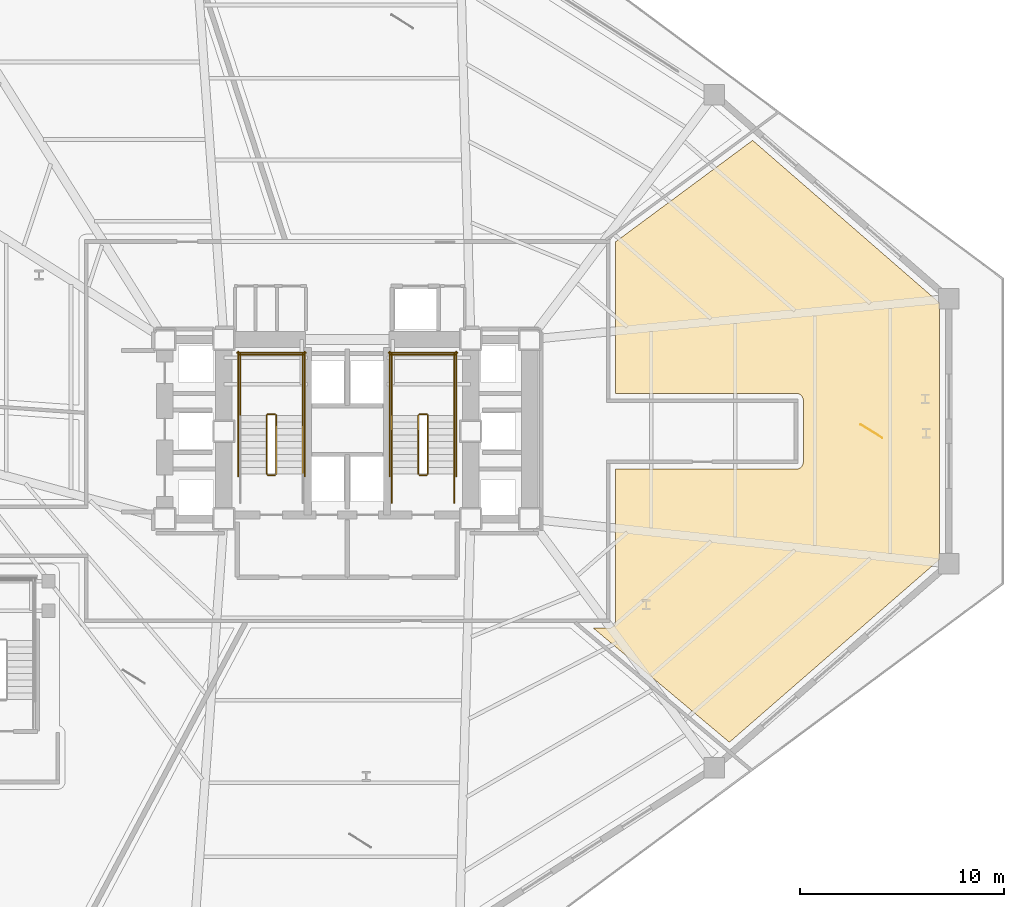
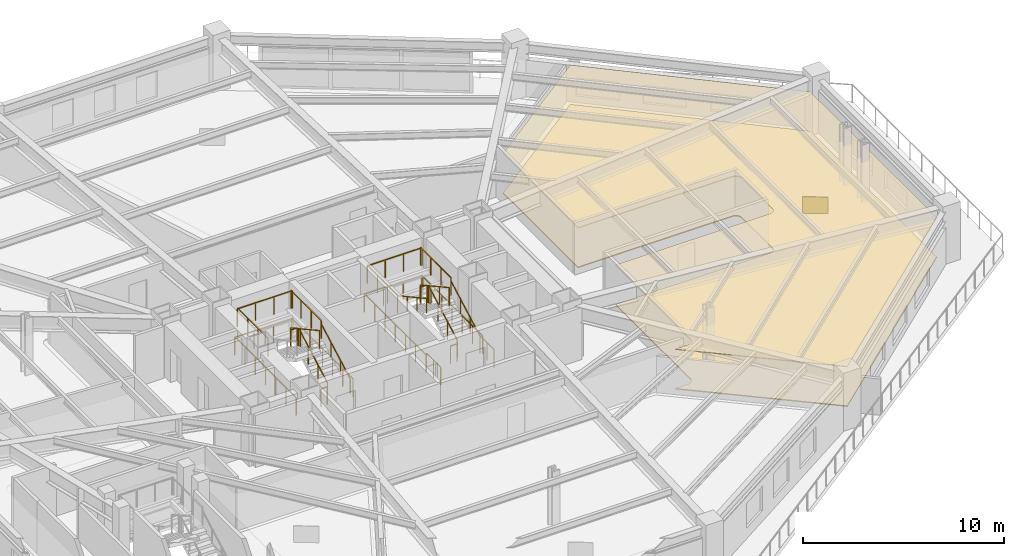
# One storey, part 11 of 12: 25 railings, 3 coverings.
"""IFC4 building model written with IfcOpenShell, lengths in metres."""

from ifc_helpers import new_model, si_unit, direction, frame, origin, origin_2d, place, context, subcontext, project, spatial, polyline, rectangle, outline, extrude, material, layer, layer_set, type_object, element, save


model = new_model("IFC4")

# Units and contexts
model_context = context("Model", 3, precision=1e-05, world=origin(), true_north=direction((0.0, 1.0)))
body_context = subcontext(model_context, "Body", "Model", "MODEL_VIEW")
ifc_project = project(units=[si_unit("LENGTHUNIT", "METRE"), si_unit("AREAUNIT", "SQUARE_METRE"), si_unit("VOLUMEUNIT", "CUBIC_METRE"), si_unit("PLANEANGLEUNIT", "RADIAN"), si_unit("MASSUNIT", "GRAM", prefix="KILO")], contexts=[model_context])

# Site, building, storey
site_placement = place(None, origin())
site = spatial("IfcSite", under=ifc_project, at=site_placement, CompositionType="ELEMENT")
building_placement = place(site_placement, origin())
building = spatial("IfcBuilding", under=site, at=building_placement, Name="Rocaltana Carrier Exchange", CompositionType="ELEMENT")
storey_placement = place(building_placement, frame((0.0, 0.0, 11.840087890625)))
storey = spatial("IfcBuildingStorey", under=building, at=storey_placement, Name="L04", CompositionType="ELEMENT", Elevation=11.840087890625)

# Coverings
ifc_material_1 = material(Name="Calcium Sulphate & Aluminium Pedestal", Category="aluminium")
ifc_layer_1 = layer(ifc_material_1, 0.06005859375)
ifc_layer_set_1 = layer_set([ifc_layer_1], Name="Calcium Sulphate & Aluminium Pedestal")
covering_type_1 = type_object("IfcCoveringType", Name="Anti-Static Raised Exchange Access Floor 60", PredefinedType="FLOORING", material=ifc_layer_set_1)
covering_1_placement = place(storey_placement, origin())
element("IfcCovering", 1, at=covering_1_placement, inside=storey, type_object=covering_type_1, Name="L04 Network Engineering Studio Finish Floor", PredefinedType="FLOORING", context=body_context, shape_type="SweptSolid", body=[
    extrude(outline(polyline([(13.159912109375, 9.2900390625), (19.875732421875, 14.259521484375), (29.0400390625, 6.290283203125), (29.0400390625, -6.290283203125), (18.7353515625, -15.2509765625), (12.072509765625, -9.659912109375), (12.800048828125, -9.659912109375), (12.813720703125, -9.65966796875), (12.821533203125, -9.6591796875), (12.848876953125, -9.656494140625), (12.856689453125, -9.655517578125), (12.883544921875, -9.650146484375), (12.891357421875, -9.648193359375), (12.91748046875, -9.64013671875), (12.9248046875, -9.637451171875), (12.9501953125, -9.626953125), (12.95751953125, -9.623779296875), (12.981689453125, -9.610595703125), (12.98828125, -9.606689453125), (13.01123046875, -9.59130859375), (13.017578125, -9.586669921875), (13.038818359375, -9.5693359375), (13.044677734375, -9.56396484375), (13.06396484375, -9.544677734375), (13.0693359375, -9.538818359375), (13.086669921875, -9.517578125), (13.09130859375, -9.51123046875), (13.106689453125, -9.48828125), (13.110595703125, -9.481689453125), (13.123779296875, -9.45751953125), (13.126953125, -9.4501953125), (13.137451171875, -9.4248046875), (13.14013671875, -9.41748046875), (13.148193359375, -9.391357421875), (13.150146484375, -9.383544921875), (13.155517578125, -9.356689453125), (13.156494140625, -9.348876953125), (13.1591796875, -9.321533203125), (13.15966796875, -9.313720703125), (13.159912109375, -9.300048828125), (13.159912109375, -1.860107421875), (22.0, -1.860107421875), (22.013671875, -1.859619140625), (22.021484375, -1.859375), (22.048828125, -1.856689453125), (22.056640625, -1.85546875), (22.08349609375, -1.85009765625), (22.09130859375, -1.84814453125), (22.11767578125, -1.840087890625), (22.125, -1.83740234375), (22.150390625, -1.826904296875), (22.157470703125, -1.82373046875), (22.181640625, -1.810791015625), (22.1884765625, -1.806640625), (22.211181640625, -1.79150390625), (22.217529296875, -1.78662109375), (22.23876953125, -1.769287109375), (22.24462890625, -1.763916015625), (22.263916015625, -1.74462890625), (22.269287109375, -1.73876953125), (22.28662109375, -1.717529296875), (22.29150390625, -1.711181640625), (22.306640625, -1.6884765625), (22.310791015625, -1.681640625), (22.32373046875, -1.657470703125), (22.326904296875, -1.650390625), (22.33740234375, -1.625), (22.340087890625, -1.61767578125), (22.34814453125, -1.59130859375), (22.35009765625, -1.58349609375), (22.35546875, -1.556640625), (22.356689453125, -1.548828125), (22.359375, -1.521484375), (22.359619140625, -1.513671875), (22.360107421875, -1.5), (22.360107421875, 1.5), (22.359619140625, 1.513671875), (22.359375, 1.521484375), (22.356689453125, 1.548828125), (22.35546875, 1.556640625), (22.35009765625, 1.58349609375), (22.34814453125, 1.59130859375), (22.340087890625, 1.61767578125), (22.33740234375, 1.625), (22.326904296875, 1.650390625), (22.32373046875, 1.657470703125), (22.310791015625, 1.681640625), (22.306640625, 1.6884765625), (22.29150390625, 1.711181640625), (22.28662109375, 1.717529296875), (22.269287109375, 1.73876953125), (22.263916015625, 1.74462890625), (22.24462890625, 1.763916015625), (22.23876953125, 1.769287109375), (22.217529296875, 1.78662109375), (22.211181640625, 1.79150390625), (22.1884765625, 1.806640625), (22.181640625, 1.810791015625), (22.157470703125, 1.82373046875), (22.150390625, 1.826904296875), (22.125, 1.83740234375), (22.11767578125, 1.840087890625), (22.09130859375, 1.84814453125), (22.08349609375, 1.85009765625), (22.056640625, 1.85546875), (22.048828125, 1.856689453125), (22.021484375, 1.859375), (22.013671875, 1.859619140625), (22.0, 1.860107421875), (13.159912109375, 1.860107421875), (13.159912109375, 9.2900390625)])), origin(), (0.0, 0.0, 1.0), 0.059814453125),
])
ifc_material_2 = material(Name="Mineral Fibre & Powder-Coated Aluminium", Category="aluminium")
ifc_layer_2 = layer(ifc_material_2, 0.044921875)
ifc_layer_set_2 = layer_set([ifc_layer_2], Name="Mineral Fibre & Powder-Coated Aluminium")
covering_type_2 = type_object("IfcCoveringType", Name="Micro-Perforated Acoustic Ceiling 45", PredefinedType="CEILING", material=ifc_layer_set_2)
covering_2_placement = place(storey_placement, frame((0.0, 0.0, 2.40283203125)))
element("IfcCovering", 2, at=covering_2_placement, inside=storey, type_object=covering_type_2, Name="L04 Network Engineering Studio Acoustic Ceiling", PredefinedType="CEILING", context=body_context, shape_type="SweptSolid", body=[
    extrude(outline(polyline([(13.159912109375, 9.2900390625), (19.875732421875, 14.259521484375), (29.0400390625, 6.290283203125), (29.0400390625, -6.290283203125), (18.7353515625, -15.2509765625), (12.072509765625, -9.659912109375), (12.800048828125, -9.659912109375), (12.813720703125, -9.65966796875), (12.821533203125, -9.6591796875), (12.848876953125, -9.656494140625), (12.856689453125, -9.655517578125), (12.883544921875, -9.650146484375), (12.891357421875, -9.648193359375), (12.91748046875, -9.64013671875), (12.9248046875, -9.637451171875), (12.9501953125, -9.626953125), (12.95751953125, -9.623779296875), (12.981689453125, -9.610595703125), (12.98828125, -9.606689453125), (13.01123046875, -9.59130859375), (13.017578125, -9.586669921875), (13.038818359375, -9.5693359375), (13.044677734375, -9.56396484375), (13.06396484375, -9.544677734375), (13.0693359375, -9.538818359375), (13.086669921875, -9.517578125), (13.09130859375, -9.51123046875), (13.106689453125, -9.48828125), (13.110595703125, -9.481689453125), (13.123779296875, -9.45751953125), (13.126953125, -9.4501953125), (13.137451171875, -9.4248046875), (13.14013671875, -9.41748046875), (13.148193359375, -9.391357421875), (13.150146484375, -9.383544921875), (13.155517578125, -9.356689453125), (13.156494140625, -9.348876953125), (13.1591796875, -9.321533203125), (13.15966796875, -9.313720703125), (13.159912109375, -9.300048828125), (13.159912109375, -1.860107421875), (22.0, -1.860107421875), (22.013671875, -1.859619140625), (22.021484375, -1.859375), (22.048828125, -1.856689453125), (22.056640625, -1.85546875), (22.08349609375, -1.85009765625), (22.09130859375, -1.84814453125), (22.11767578125, -1.840087890625), (22.125, -1.83740234375), (22.150390625, -1.826904296875), (22.157470703125, -1.82373046875), (22.181640625, -1.810791015625), (22.1884765625, -1.806640625), (22.211181640625, -1.79150390625), (22.217529296875, -1.78662109375), (22.23876953125, -1.769287109375), (22.24462890625, -1.763916015625), (22.263916015625, -1.74462890625), (22.269287109375, -1.73876953125), (22.28662109375, -1.717529296875), (22.29150390625, -1.711181640625), (22.306640625, -1.6884765625), (22.310791015625, -1.681640625), (22.32373046875, -1.657470703125), (22.326904296875, -1.650390625), (22.33740234375, -1.625), (22.340087890625, -1.61767578125), (22.34814453125, -1.59130859375), (22.35009765625, -1.58349609375), (22.35546875, -1.556640625), (22.356689453125, -1.548828125), (22.359375, -1.521484375), (22.359619140625, -1.513671875), (22.360107421875, -1.5), (22.360107421875, 1.5), (22.359619140625, 1.513671875), (22.359375, 1.521484375), (22.356689453125, 1.548828125), (22.35546875, 1.556640625), (22.35009765625, 1.58349609375), (22.34814453125, 1.59130859375), (22.340087890625, 1.61767578125), (22.33740234375, 1.625), (22.326904296875, 1.650390625), (22.32373046875, 1.657470703125), (22.310791015625, 1.681640625), (22.306640625, 1.6884765625), (22.29150390625, 1.711181640625), (22.28662109375, 1.717529296875), (22.269287109375, 1.73876953125), (22.263916015625, 1.74462890625), (22.24462890625, 1.763916015625), (22.23876953125, 1.769287109375), (22.217529296875, 1.78662109375), (22.211181640625, 1.79150390625), (22.1884765625, 1.806640625), (22.181640625, 1.810791015625), (22.157470703125, 1.82373046875), (22.150390625, 1.826904296875), (22.125, 1.83740234375), (22.11767578125, 1.840087890625), (22.09130859375, 1.84814453125), (22.08349609375, 1.85009765625), (22.056640625, 1.85546875), (22.048828125, 1.856689453125), (22.021484375, 1.859375), (22.013671875, 1.859619140625), (22.0, 1.860107421875), (13.159912109375, 1.860107421875), (13.159912109375, 9.2900390625)])), origin(), (0.0, 0.0, 1.0), 0.045166015625),
])

# Railings
ifc_material_3 = material(Name="Brushed Architectural Stainless Tube", Category="steel")
ifc_layer_3 = layer(ifc_material_3, 0.048095703125)
ifc_layer_set_3 = layer_set([ifc_layer_3], Name="Brushed Architectural Stainless Tube")
railing_type_1 = type_object("IfcRailingType", Name="Stair Wall Handrail 920", PredefinedType="HANDRAIL", material=ifc_layer_set_3)
for number, where, name in (
    (3, (-2.18994140625, -2.10009765625, 0.176025390625), "L04 ST-1 stair handrail 1"),
    (4, (5.25, -2.10009765625, 0.176025390625), "L04 ST-2 stair handrail 1"),
):
    element("IfcRailing", number, at=place(storey_placement, frame(where)), inside=storey, type_object=railing_type_1, Name=name, PredefinedType="HANDRAIL", context=body_context, shape_type="SweptSolid", body=[
        extrude(rectangle(XDim=0.048095703125, YDim=0.048095703125, at=origin_2d()), frame((0.0, 0.0, 0.8759765625), z_axis=(0.0, 0.876226885812, 0.481898790807), x_axis=(-1.0, 0.0, 0.0)), (0.0, 0.0, 1.0), 3.286865234375),
        extrude(rectangle(XDim=0.0419921875, YDim=0.0419921875, at=origin_2d()), origin(), (0.0, 0.0, 1.0), 0.851806640625),
        extrude(rectangle(XDim=0.0419921875, YDim=0.0419921875, at=origin_2d()), frame((0.0, 0.9599609375, 0.528076171875)), (0.0, 0.0, 1.0), 0.851806640625),
        extrude(rectangle(XDim=0.0419921875, YDim=0.0419921875, at=origin_2d()), frame((0.0, 1.920166015625, 1.055908203125)), (0.0, 0.0, 1.0), 0.851806640625),
        extrude(rectangle(XDim=0.0419921875, YDim=0.0419921875, at=origin_2d()), frame((0.0, 2.880126953125, 1.583984375)), (0.0, 0.0, 1.0), 0.851806640625),
    ])
railing_1_placement = place(storey_placement, frame((2.18994140625, 0.780029296875, 1.935791015625)))
element("IfcRailing", 5, at=railing_1_placement, inside=storey, type_object=railing_type_1, Name="L04 ST-2 stair handrail 2", PredefinedType="HANDRAIL", context=body_context, shape_type="SweptSolid", body=[
    extrude(rectangle(XDim=0.048095703125, YDim=0.048095703125, at=origin_2d()), frame((0.0, 0.0, 0.8759765625), z_axis=(0.0, -0.876195522092, 0.481955814432), x_axis=(1.0, 0.0, 0.0)), (0.0, 0.0, 1.0), 3.287109375),
    extrude(rectangle(XDim=0.0419921875, YDim=0.0419921875, at=origin_2d()), origin(), (0.0, 0.0, 1.0), 0.851806640625),
    extrude(rectangle(XDim=0.0419921875, YDim=0.0419921875, at=origin_2d()), frame((0.0, -0.9599609375, 0.528076171875)), (0.0, 0.0, 1.0), 0.851806640625),
    extrude(rectangle(XDim=0.0419921875, YDim=0.0419921875, at=origin_2d()), frame((0.0, -1.920166015625, 1.05615234375)), (0.0, 0.0, 1.0), 0.851806640625),
    extrude(rectangle(XDim=0.0419921875, YDim=0.0419921875, at=origin_2d()), frame((0.0, -2.880126953125, 1.584228515625)), (0.0, 0.0, 1.0), 0.851806640625),
])
ifc_material_4 = material(Name="Powder-Coated Aluminium 6063-T6", Category="aluminium")
ifc_layer_4 = layer(ifc_material_4, 0.048095703125)
ifc_layer_set_4 = layer_set([ifc_layer_4], Name="Powder-Coated Aluminium 6063-T6")
railing_type_2 = type_object("IfcRailingType", Name="Stair Well Guardrail 1100", PredefinedType="GUARDRAIL", material=ifc_layer_set_4)
railing_2_placement = place(storey_placement, frame((-3.489990234375, -2.10009765625, 0.176025390625)))
element("IfcRailing", 6, at=railing_2_placement, inside=storey, type_object=railing_type_2, Name="L04 ST-1 stair guard 1", PredefinedType="GUARDRAIL", context=body_context, shape_type="SweptSolid", body=[
    extrude(rectangle(XDim=0.048095703125, YDim=0.048095703125, at=origin_2d()), frame((0.0, 0.0, 1.076171875), z_axis=(0.0, 0.876226885812, 0.481898790807), x_axis=(-1.0, 0.0, 0.0)), (0.0, 0.0, 1.0), 3.286865234375),
    extrude(rectangle(XDim=0.0419921875, YDim=0.0419921875, at=origin_2d()), origin(), (0.0, 0.0, 1.0), 1.052001953125),
    extrude(rectangle(XDim=0.0419921875, YDim=0.0419921875, at=origin_2d()), frame((0.0, 0.9599609375, 0.528076171875)), (0.0, 0.0, 1.0), 1.052001953125),
    extrude(rectangle(XDim=0.0419921875, YDim=0.0419921875, at=origin_2d()), frame((0.0, 1.920166015625, 1.055908203125)), (0.0, 0.0, 1.0), 1.052001953125),
    extrude(rectangle(XDim=0.0419921875, YDim=0.0419921875, at=origin_2d()), frame((0.0, 2.880126953125, 1.583984375)), (0.0, 0.0, 1.0), 1.052001953125),
])
railing_3_placement = place(storey_placement, frame((-3.5400390625, 0.830078125, 1.760009765625)))
element("IfcRailing", 7, at=railing_3_placement, inside=storey, type_object=railing_type_2, Name="L04 ST-1 stair guard 2", PredefinedType="GUARDRAIL", context=body_context, shape_type="SweptSolid", body=[
    extrude(rectangle(XDim=0.048095703125, YDim=0.048095703125, at=origin_2d()), frame((0.0, 0.0, 1.076171875), z_axis=(-1.0, 0.0, 0.0), x_axis=(0.0, -1.0, 0.0)), (0.0, 0.0, 1.0), 0.35986328125),
    extrude(rectangle(XDim=0.0419921875, YDim=0.0419921875, at=origin_2d()), origin(), (0.0, 0.0, 1.0), 1.052001953125),
    extrude(rectangle(XDim=0.0419921875, YDim=0.0419921875, at=origin_2d()), frame((-0.35986328125, 0.0, 0.0)), (0.0, 0.0, 1.0), 1.052001953125),
])
for number, where, name in (
    (8, (-2.18994140625, 0.780029296875, 1.760009765625), "L04 ST-1 stair guard 3"),
    (9, (-5.25, 0.780029296875, 1.760009765625), "L04 ST-1 stair guard 4"),
):
    element("IfcRailing", number, at=place(storey_placement, frame(where)), inside=storey, type_object=railing_type_2, Name=name, PredefinedType="GUARDRAIL", context=body_context, shape_type="SweptSolid", body=[
        extrude(rectangle(XDim=0.048095703125, YDim=0.048095703125, at=origin_2d()), frame((0.0, 0.0, 1.076171875), z_axis=(0.0, 1.0, 0.0), x_axis=(-1.0, 0.0, 0.0)), (0.0, 0.0, 1.0), 3.02001953125),
        extrude(rectangle(XDim=0.0419921875, YDim=0.0419921875, at=origin_2d()), origin(), (0.0, 0.0, 1.0), 1.052001953125),
        extrude(rectangle(XDim=0.0419921875, YDim=0.0419921875, at=origin_2d()), frame((0.0, 1.006591796875, 0.0)), (0.0, 0.0, 1.0), 1.052001953125),
        extrude(rectangle(XDim=0.0419921875, YDim=0.0419921875, at=origin_2d()), frame((0.0, 2.013427734375, 0.0)), (0.0, 0.0, 1.0), 1.052001953125),
        extrude(rectangle(XDim=0.0419921875, YDim=0.0419921875, at=origin_2d()), frame((0.0, 3.02001953125, 0.0)), (0.0, 0.0, 1.0), 1.052001953125),
    ])
railing_4_placement = place(storey_placement, frame((-2.139892578125, 3.75, 1.760009765625)))
element("IfcRailing", 10, at=railing_4_placement, inside=storey, type_object=railing_type_2, Name="L04 ST-1 stair guard 5", PredefinedType="GUARDRAIL", context=body_context, shape_type="SweptSolid", body=[
    extrude(rectangle(XDim=0.048095703125, YDim=0.048095703125, at=origin_2d()), frame((0.0, 0.0, 1.076171875), z_axis=(-1.0, 0.0, 0.0), x_axis=(0.0, -1.0, 0.0)), (0.0, 0.0, 1.0), 3.16015625),
    extrude(rectangle(XDim=0.0419921875, YDim=0.0419921875, at=origin_2d()), origin(), (0.0, 0.0, 1.0), 1.052001953125),
    extrude(rectangle(XDim=0.0419921875, YDim=0.0419921875, at=origin_2d()), frame((-1.053466796875, 0.0, 0.0)), (0.0, 0.0, 1.0), 1.052001953125),
    extrude(rectangle(XDim=0.0419921875, YDim=0.0419921875, at=origin_2d()), frame((-2.106689453125, 0.0, 0.0)), (0.0, 0.0, 1.0), 1.052001953125),
    extrude(rectangle(XDim=0.0419921875, YDim=0.0419921875, at=origin_2d()), frame((-3.16015625, 0.0, 0.0)), (0.0, 0.0, 1.0), 1.052001953125),
])
railing_5_placement = place(storey_placement, frame((-3.949951171875, 0.780029296875, 1.935791015625)))
element("IfcRailing", 11, at=railing_5_placement, inside=storey, type_object=railing_type_2, Name="L04 ST-1 stair guard 6", PredefinedType="GUARDRAIL", context=body_context, shape_type="SweptSolid", body=[
    extrude(rectangle(XDim=0.048095703125, YDim=0.048095703125, at=origin_2d()), frame((0.0, 0.0, 1.076171875), z_axis=(0.0, -0.876195522092, 0.481955814432), x_axis=(1.0, 0.0, 0.0)), (0.0, 0.0, 1.0), 3.287109375),
    extrude(rectangle(XDim=0.0419921875, YDim=0.0419921875, at=origin_2d()), origin(), (0.0, 0.0, 1.0), 1.052001953125),
    extrude(rectangle(XDim=0.0419921875, YDim=0.0419921875, at=origin_2d()), frame((0.0, -0.9599609375, 0.528076171875)), (0.0, 0.0, 1.0), 1.052001953125),
    extrude(rectangle(XDim=0.0419921875, YDim=0.0419921875, at=origin_2d()), frame((0.0, -1.920166015625, 1.05615234375)), (0.0, 0.0, 1.0), 1.052001953125),
    extrude(rectangle(XDim=0.0419921875, YDim=0.0419921875, at=origin_2d()), frame((0.0, -2.880126953125, 1.584228515625)), (0.0, 0.0, 1.0), 1.052001953125),
])
railing_6_placement = place(storey_placement, frame((-3.5400390625, -2.14990234375, 0.0)))
element("IfcRailing", 12, at=railing_6_placement, inside=storey, type_object=railing_type_2, Name="L04 ST-1 stair guard 7", PredefinedType="GUARDRAIL", context=body_context, shape_type="SweptSolid", body=[
    extrude(rectangle(XDim=0.048095703125, YDim=0.048095703125, at=origin_2d()), frame((0.0, 0.0, 1.076171875), z_axis=(-1.0, 0.0, 0.0), x_axis=(0.0, -1.0, 0.0)), (0.0, 0.0, 1.0), 0.35986328125),
    extrude(rectangle(XDim=0.0419921875, YDim=0.0419921875, at=origin_2d()), origin(), (0.0, 0.0, 1.0), 1.052001953125),
    extrude(rectangle(XDim=0.0419921875, YDim=0.0419921875, at=origin_2d()), frame((-0.35986328125, 0.0, 0.0)), (0.0, 0.0, 1.0), 1.052001953125),
])
for number, where, name in (
    (13, (-2.090087890625, -2.199951171875, 0.0), "L04 ST-1 stair guard 10"),
    (14, (-5.35009765625, -2.199951171875, 0.0), "L04 ST-1 stair guard 11"),
):
    element("IfcRailing", number, at=place(storey_placement, frame(where)), inside=storey, type_object=railing_type_2, Name=name, PredefinedType="GUARDRAIL", context=body_context, shape_type="SweptSolid", body=[
        extrude(rectangle(XDim=0.048095703125, YDim=0.048095703125, at=origin_2d()), frame((0.0, 0.0, 1.076171875), z_axis=(0.0, 1.0, 0.0), x_axis=(-1.0, 0.0, 0.0)), (0.0, 0.0, 1.0), 6.099853515625),
        extrude(rectangle(XDim=0.0419921875, YDim=0.0419921875, at=origin_2d()), origin(), (0.0, 0.0, 1.0), 1.052001953125),
        extrude(rectangle(XDim=0.0419921875, YDim=0.0419921875, at=origin_2d()), frame((0.0, 1.0166015625, 0.0)), (0.0, 0.0, 1.0), 1.052001953125),
        extrude(rectangle(XDim=0.0419921875, YDim=0.0419921875, at=origin_2d()), frame((0.0, 2.033203125, 0.0)), (0.0, 0.0, 1.0), 1.052001953125),
        extrude(rectangle(XDim=0.0419921875, YDim=0.0419921875, at=origin_2d()), frame((0.0, 3.0498046875, 0.0)), (0.0, 0.0, 1.0), 1.052001953125),
        extrude(rectangle(XDim=0.0419921875, YDim=0.0419921875, at=origin_2d()), frame((0.0, 4.066650390625, 0.0)), (0.0, 0.0, 1.0), 1.052001953125),
        extrude(rectangle(XDim=0.0419921875, YDim=0.0419921875, at=origin_2d()), frame((0.0, 5.083251953125, 0.0)), (0.0, 0.0, 1.0), 1.052001953125),
        extrude(rectangle(XDim=0.0419921875, YDim=0.0419921875, at=origin_2d()), frame((0.0, 6.099853515625, 0.0)), (0.0, 0.0, 1.0), 1.052001953125),
    ])
railing_7_placement = place(storey_placement, frame((-2.0400390625, 3.85009765625, 0.0)))
element("IfcRailing", 15, at=railing_7_placement, inside=storey, type_object=railing_type_2, Name="L04 ST-1 stair guard 12", PredefinedType="GUARDRAIL", context=body_context, shape_type="SweptSolid", body=[
    extrude(rectangle(XDim=0.048095703125, YDim=0.048095703125, at=origin_2d()), frame((0.0, 0.0, 1.076171875), z_axis=(-1.0, 0.0, 0.0), x_axis=(0.0, -1.0, 0.0)), (0.0, 0.0, 1.0), 3.35986328125),
    extrude(rectangle(XDim=0.0419921875, YDim=0.0419921875, at=origin_2d()), origin(), (0.0, 0.0, 1.0), 1.052001953125),
    extrude(rectangle(XDim=0.0419921875, YDim=0.0419921875, at=origin_2d()), frame((-1.119873046875, 0.0, 0.0)), (0.0, 0.0, 1.0), 1.052001953125),
    extrude(rectangle(XDim=0.0419921875, YDim=0.0419921875, at=origin_2d()), frame((-2.239990234375, 0.0, 0.0)), (0.0, 0.0, 1.0), 1.052001953125),
    extrude(rectangle(XDim=0.0419921875, YDim=0.0419921875, at=origin_2d()), frame((-3.35986328125, 0.0, 0.0)), (0.0, 0.0, 1.0), 1.052001953125),
])
railing_8_placement = place(storey_placement, frame((3.949951171875, -2.10009765625, 0.176025390625)))
element("IfcRailing", 16, at=railing_8_placement, inside=storey, type_object=railing_type_2, Name="L04 ST-2 stair guard 1", PredefinedType="GUARDRAIL", context=body_context, shape_type="SweptSolid", body=[
    extrude(rectangle(XDim=0.048095703125, YDim=0.048095703125, at=origin_2d()), frame((0.0, 0.0, 1.076171875), z_axis=(0.0, 0.876226885812, 0.481898790807), x_axis=(-1.0, 0.0, 0.0)), (0.0, 0.0, 1.0), 3.286865234375),
    extrude(rectangle(XDim=0.0419921875, YDim=0.0419921875, at=origin_2d()), origin(), (0.0, 0.0, 1.0), 1.052001953125),
    extrude(rectangle(XDim=0.0419921875, YDim=0.0419921875, at=origin_2d()), frame((0.0, 0.9599609375, 0.528076171875)), (0.0, 0.0, 1.0), 1.052001953125),
    extrude(rectangle(XDim=0.0419921875, YDim=0.0419921875, at=origin_2d()), frame((0.0, 1.920166015625, 1.055908203125)), (0.0, 0.0, 1.0), 1.052001953125),
    extrude(rectangle(XDim=0.0419921875, YDim=0.0419921875, at=origin_2d()), frame((0.0, 2.880126953125, 1.583984375)), (0.0, 0.0, 1.0), 1.052001953125),
])
railing_9_placement = place(storey_placement, frame((3.89990234375, 0.830078125, 1.760009765625)))
element("IfcRailing", 17, at=railing_9_placement, inside=storey, type_object=railing_type_2, Name="L04 ST-2 stair guard 2", PredefinedType="GUARDRAIL", context=body_context, shape_type="SweptSolid", body=[
    extrude(rectangle(XDim=0.048095703125, YDim=0.048095703125, at=origin_2d()), frame((0.0, 0.0, 1.076171875), z_axis=(-1.0, 0.0, 0.0), x_axis=(0.0, -1.0, 0.0)), (0.0, 0.0, 1.0), 0.35986328125),
    extrude(rectangle(XDim=0.0419921875, YDim=0.0419921875, at=origin_2d()), origin(), (0.0, 0.0, 1.0), 1.052001953125),
    extrude(rectangle(XDim=0.0419921875, YDim=0.0419921875, at=origin_2d()), frame((-0.35986328125, 0.0, 0.0)), (0.0, 0.0, 1.0), 1.052001953125),
])
for number, where, name in (
    (18, (5.25, 0.780029296875, 1.760009765625), "L04 ST-2 stair guard 3"),
    (19, (2.18994140625, 0.780029296875, 1.760009765625), "L04 ST-2 stair guard 4"),
):
    element("IfcRailing", number, at=place(storey_placement, frame(where)), inside=storey, type_object=railing_type_2, Name=name, PredefinedType="GUARDRAIL", context=body_context, shape_type="SweptSolid", body=[
        extrude(rectangle(XDim=0.048095703125, YDim=0.048095703125, at=origin_2d()), frame((0.0, 0.0, 1.076171875), z_axis=(0.0, 1.0, 0.0), x_axis=(-1.0, 0.0, 0.0)), (0.0, 0.0, 1.0), 3.02001953125),
        extrude(rectangle(XDim=0.0419921875, YDim=0.0419921875, at=origin_2d()), origin(), (0.0, 0.0, 1.0), 1.052001953125),
        extrude(rectangle(XDim=0.0419921875, YDim=0.0419921875, at=origin_2d()), frame((0.0, 1.006591796875, 0.0)), (0.0, 0.0, 1.0), 1.052001953125),
        extrude(rectangle(XDim=0.0419921875, YDim=0.0419921875, at=origin_2d()), frame((0.0, 2.013427734375, 0.0)), (0.0, 0.0, 1.0), 1.052001953125),
        extrude(rectangle(XDim=0.0419921875, YDim=0.0419921875, at=origin_2d()), frame((0.0, 3.02001953125, 0.0)), (0.0, 0.0, 1.0), 1.052001953125),
    ])
railing_10_placement = place(storey_placement, frame((5.300048828125, 3.75, 1.760009765625)))
element("IfcRailing", 20, at=railing_10_placement, inside=storey, type_object=railing_type_2, Name="L04 ST-2 stair guard 5", PredefinedType="GUARDRAIL", context=body_context, shape_type="SweptSolid", body=[
    extrude(rectangle(XDim=0.048095703125, YDim=0.048095703125, at=origin_2d()), frame((0.0, 0.0, 1.076171875), z_axis=(-1.0, 0.0, 0.0), x_axis=(0.0, -1.0, 0.0)), (0.0, 0.0, 1.0), 3.16015625),
    extrude(rectangle(XDim=0.0419921875, YDim=0.0419921875, at=origin_2d()), origin(), (0.0, 0.0, 1.0), 1.052001953125),
    extrude(rectangle(XDim=0.0419921875, YDim=0.0419921875, at=origin_2d()), frame((-1.053466796875, 0.0, 0.0)), (0.0, 0.0, 1.0), 1.052001953125),
    extrude(rectangle(XDim=0.0419921875, YDim=0.0419921875, at=origin_2d()), frame((-2.106689453125, 0.0, 0.0)), (0.0, 0.0, 1.0), 1.052001953125),
    extrude(rectangle(XDim=0.0419921875, YDim=0.0419921875, at=origin_2d()), frame((-3.16015625, 0.0, 0.0)), (0.0, 0.0, 1.0), 1.052001953125),
])
railing_11_placement = place(storey_placement, frame((3.489990234375, 0.780029296875, 1.935791015625)))
element("IfcRailing", 21, at=railing_11_placement, inside=storey, type_object=railing_type_2, Name="L04 ST-2 stair guard 6", PredefinedType="GUARDRAIL", context=body_context, shape_type="SweptSolid", body=[
    extrude(rectangle(XDim=0.048095703125, YDim=0.048095703125, at=origin_2d()), frame((0.0, 0.0, 1.076171875), z_axis=(0.0, -0.876195522092, 0.481955814432), x_axis=(1.0, 0.0, 0.0)), (0.0, 0.0, 1.0), 3.287109375),
    extrude(rectangle(XDim=0.0419921875, YDim=0.0419921875, at=origin_2d()), origin(), (0.0, 0.0, 1.0), 1.052001953125),
    extrude(rectangle(XDim=0.0419921875, YDim=0.0419921875, at=origin_2d()), frame((0.0, -0.9599609375, 0.528076171875)), (0.0, 0.0, 1.0), 1.052001953125),
    extrude(rectangle(XDim=0.0419921875, YDim=0.0419921875, at=origin_2d()), frame((0.0, -1.920166015625, 1.05615234375)), (0.0, 0.0, 1.0), 1.052001953125),
    extrude(rectangle(XDim=0.0419921875, YDim=0.0419921875, at=origin_2d()), frame((0.0, -2.880126953125, 1.584228515625)), (0.0, 0.0, 1.0), 1.052001953125),
])
railing_12_placement = place(storey_placement, frame((3.89990234375, -2.14990234375, 0.0)))
element("IfcRailing", 22, at=railing_12_placement, inside=storey, type_object=railing_type_2, Name="L04 ST-2 stair guard 7", PredefinedType="GUARDRAIL", context=body_context, shape_type="SweptSolid", body=[
    extrude(rectangle(XDim=0.048095703125, YDim=0.048095703125, at=origin_2d()), frame((0.0, 0.0, 1.076171875), z_axis=(-1.0, 0.0, 0.0), x_axis=(0.0, -1.0, 0.0)), (0.0, 0.0, 1.0), 0.35986328125),
    extrude(rectangle(XDim=0.0419921875, YDim=0.0419921875, at=origin_2d()), origin(), (0.0, 0.0, 1.0), 1.052001953125),
    extrude(rectangle(XDim=0.0419921875, YDim=0.0419921875, at=origin_2d()), frame((-0.35986328125, 0.0, 0.0)), (0.0, 0.0, 1.0), 1.052001953125),
])
for number, where, name in (
    (23, (5.25, -3.5, 0.0), "L04 ST-2 stair guard 8"),
    (24, (2.18994140625, -3.5, 0.0), "L04 ST-2 stair guard 9"),
):
    element("IfcRailing", number, at=place(storey_placement, frame(where)), inside=storey, type_object=railing_type_2, Name=name, PredefinedType="GUARDRAIL", context=body_context, shape_type="SweptSolid", body=[
        extrude(rectangle(XDim=0.048095703125, YDim=0.048095703125, at=origin_2d()), frame((0.0, 0.0, 1.076171875), z_axis=(0.0, 1.0, 0.0), x_axis=(-1.0, 0.0, 0.0)), (0.0, 0.0, 1.0), 1.39990234375),
        extrude(rectangle(XDim=0.0419921875, YDim=0.0419921875, at=origin_2d()), origin(), (0.0, 0.0, 1.0), 1.052001953125),
        extrude(rectangle(XDim=0.0419921875, YDim=0.0419921875, at=origin_2d()), frame((0.0, 0.699951171875, 0.0)), (0.0, 0.0, 1.0), 1.052001953125),
        extrude(rectangle(XDim=0.0419921875, YDim=0.0419921875, at=origin_2d()), frame((0.0, 1.39990234375, 0.0)), (0.0, 0.0, 1.0), 1.052001953125),
    ])
for number, where, name in (
    (25, (5.35009765625, -2.199951171875, 0.0), "L04 ST-2 stair guard 10"),
    (26, (2.090087890625, -2.199951171875, 0.0), "L04 ST-2 stair guard 11"),
):
    element("IfcRailing", number, at=place(storey_placement, frame(where)), inside=storey, type_object=railing_type_2, Name=name, PredefinedType="GUARDRAIL", context=body_context, shape_type="SweptSolid", body=[
        extrude(rectangle(XDim=0.048095703125, YDim=0.048095703125, at=origin_2d()), frame((0.0, 0.0, 1.076171875), z_axis=(0.0, 1.0, 0.0), x_axis=(-1.0, 0.0, 0.0)), (0.0, 0.0, 1.0), 6.099853515625),
        extrude(rectangle(XDim=0.0419921875, YDim=0.0419921875, at=origin_2d()), origin(), (0.0, 0.0, 1.0), 1.052001953125),
        extrude(rectangle(XDim=0.0419921875, YDim=0.0419921875, at=origin_2d()), frame((0.0, 1.0166015625, 0.0)), (0.0, 0.0, 1.0), 1.052001953125),
        extrude(rectangle(XDim=0.0419921875, YDim=0.0419921875, at=origin_2d()), frame((0.0, 2.033203125, 0.0)), (0.0, 0.0, 1.0), 1.052001953125),
        extrude(rectangle(XDim=0.0419921875, YDim=0.0419921875, at=origin_2d()), frame((0.0, 3.0498046875, 0.0)), (0.0, 0.0, 1.0), 1.052001953125),
        extrude(rectangle(XDim=0.0419921875, YDim=0.0419921875, at=origin_2d()), frame((0.0, 4.066650390625, 0.0)), (0.0, 0.0, 1.0), 1.052001953125),
        extrude(rectangle(XDim=0.0419921875, YDim=0.0419921875, at=origin_2d()), frame((0.0, 5.083251953125, 0.0)), (0.0, 0.0, 1.0), 1.052001953125),
        extrude(rectangle(XDim=0.0419921875, YDim=0.0419921875, at=origin_2d()), frame((0.0, 6.099853515625, 0.0)), (0.0, 0.0, 1.0), 1.052001953125),
    ])
railing_13_placement = place(storey_placement, frame((5.39990234375, 3.85009765625, 0.0)))
element("IfcRailing", 27, at=railing_13_placement, inside=storey, type_object=railing_type_2, Name="L04 ST-2 stair guard 12", PredefinedType="GUARDRAIL", context=body_context, shape_type="SweptSolid", body=[
    extrude(rectangle(XDim=0.048095703125, YDim=0.048095703125, at=origin_2d()), frame((0.0, 0.0, 1.076171875), z_axis=(-1.0, 0.0, 0.0), x_axis=(0.0, -1.0, 0.0)), (0.0, 0.0, 1.0), 3.35986328125),
    extrude(rectangle(XDim=0.0419921875, YDim=0.0419921875, at=origin_2d()), origin(), (0.0, 0.0, 1.0), 1.052001953125),
    extrude(rectangle(XDim=0.0419921875, YDim=0.0419921875, at=origin_2d()), frame((-1.119873046875, 0.0, 0.0)), (0.0, 0.0, 1.0), 1.052001953125),
    extrude(rectangle(XDim=0.0419921875, YDim=0.0419921875, at=origin_2d()), frame((-2.239990234375, 0.0, 0.0)), (0.0, 0.0, 1.0), 1.052001953125),
    extrude(rectangle(XDim=0.0419921875, YDim=0.0419921875, at=origin_2d()), frame((-3.35986328125, 0.0, 0.0)), (0.0, 0.0, 1.0), 1.052001953125),
])

# Covering
ifc_material_5 = material(Name="Honed Piedra Muneca Sandstone", Category="masonry")
ifc_layer_5 = layer(ifc_material_5, 0.034912109375)
ifc_layer_set_5 = layer_set([ifc_layer_5], Name="Honed Piedra Muneca Sandstone")
covering_type_3 = type_object("IfcCoveringType", Name="Stone Facade Cladding 35", PredefinedType="CLADDING", material=ifc_layer_set_5)
covering_3_placement = place(storey_placement, frame((25.699951171875, 0.0, 0.0), z_axis=(0.0, 0.0, 1.0), x_axis=(-0.848048096156, 0.529919264233, 0.0)))
element("IfcCovering", 28, at=covering_3_placement, inside=storey, type_object=covering_type_3, Name="L04 Stone Facade Cladding Panel 3", PredefinedType="CLADDING", context=body_context, shape_type="SweptSolid", body=[
    extrude(rectangle(XDim=1.25, YDim=0.034912109375, at=origin_2d()), origin(), (0.0, 0.0, 1.0), 1.050048828125),
])

save(model, "model.ifc")
